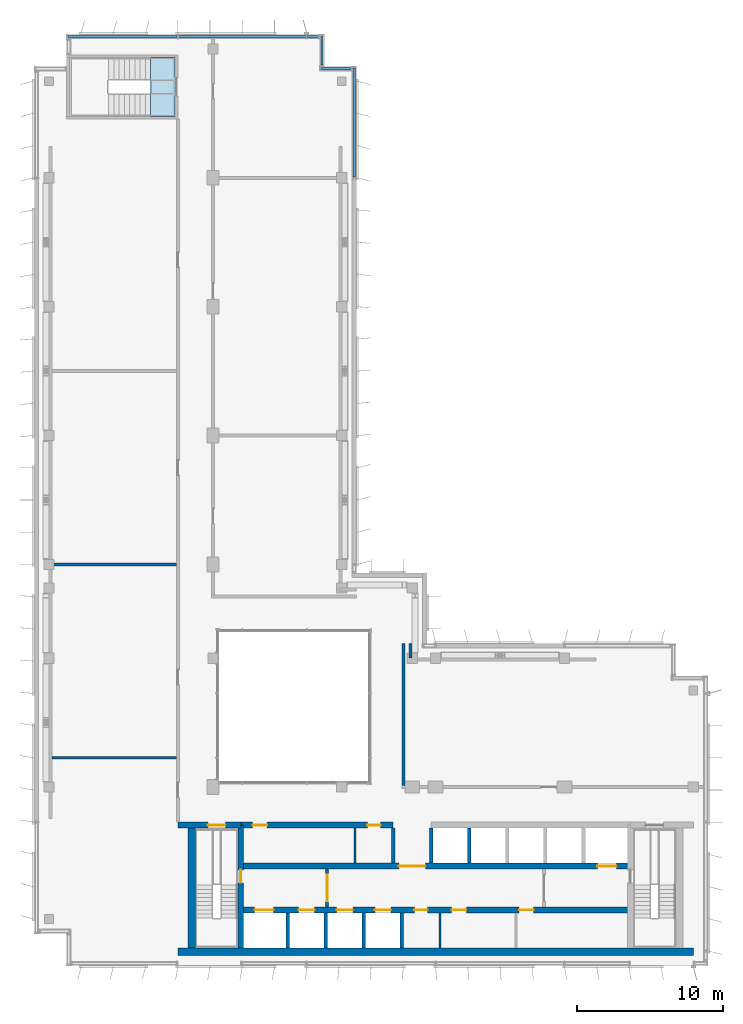
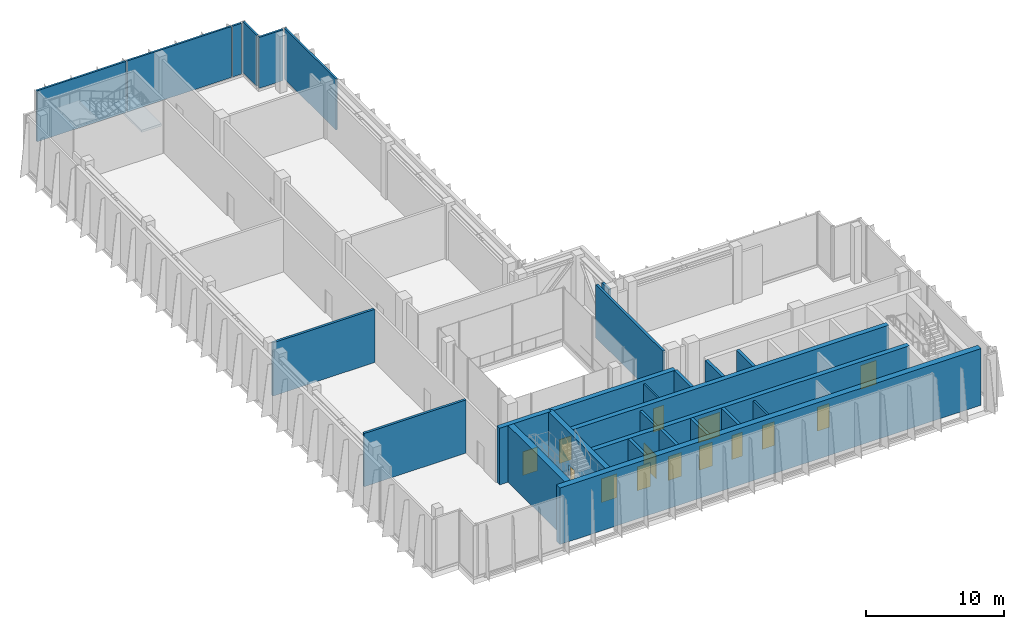
# One storey, part 8 of 14: 21 walls, 14 doors, 6 plates, 1 slab, 14 openings, 5 elements without a shape of their own.
"""IFC4 building model written with IfcOpenShell, lengths in metres."""

from ifc_helpers import new_model, si_unit, direction, frame, frame_2d, origin, origin_2d, place, context, subcontext, project, spatial, polyline, rectangle, outline, extrude, source, transform, mapped, material, layer, layer_set, type_object, element, fill, aggregate, save


model = new_model("IFC4")

# Units and contexts
model_context = context("Model", 3, precision=1e-05, world=origin(), true_north=direction((0.0, 1.0)))
body_context = subcontext(model_context, "Body", "Model", "MODEL_VIEW")
ifc_project = project(units=[si_unit("LENGTHUNIT", "METRE"), si_unit("AREAUNIT", "SQUARE_METRE"), si_unit("VOLUMEUNIT", "CUBIC_METRE"), si_unit("PLANEANGLEUNIT", "RADIAN"), si_unit("MASSUNIT", "GRAM", prefix="KILO")], contexts=[model_context])

# Site, building, storey
site_placement = place(None, origin())
site = spatial("IfcSite", under=ifc_project, at=site_placement, CompositionType="ELEMENT")
building_placement = place(site_placement, origin())
building = spatial("IfcBuilding", under=site, at=building_placement, Name="Kemantara Hotel Tower", CompositionType="ELEMENT")
storey_placement = place(building_placement, frame((0.0, 0.0, 309.199951171875)))
storey = spatial("IfcBuildingStorey", under=building, at=storey_placement, Name="L78", CompositionType="ELEMENT", Elevation=309.199951171875)

# Stair, slab
ifc_material_1 = material(Name="Concrete fc 40 MPa", Category="concrete")
stair_type = type_object("IfcStairType", Name="Stair 1550 wide 36 risers of 139 x 360 mm", PredefinedType="HALF_TURN_STAIR", material=ifc_material_1)
stair_placement = place(storey_placement, origin())
stair = element("IfcStair", 1, at=stair_placement, inside=storey, type_object=stair_type, Name="L78 Exit stair ST4", PredefinedType="HALF_TURN_STAIR")
ifc_layer_1 = layer(ifc_material_1, 0.199951171875)
ifc_layer_set_1 = layer_set([ifc_layer_1], Name="Concrete fc 40 MPa")
slab_type = type_object("IfcSlabType", Name="Stair landing 200 mm", PredefinedType="LANDING", material=ifc_layer_set_1)
slab_placement = place(storey_placement, frame((0.0, 0.0, 2.300048828125)))
slab = element("IfcSlab", 2, at=slab_placement, type_object=slab_type, Name="ST4 landing 2", PredefinedType="LANDING", context=body_context, shape_type="SweptSolid", body=[
    extrude(outline(polyline([(9.60009765625, 62.0), (7.949951171875, 62.0), (7.949951171875, 58.0), (9.60009765625, 58.0), (9.60009765625, 62.0)])), origin(), (0.0, 0.0, 1.0), 0.199951171875),
])
aggregate(stair, [slab])

# Curtain wall, plates
ifc_material_2 = material(Name="Aluminium 6063-T6 bronze anodised", Category="aluminium")
curtain_wall_type = type_object("IfcCurtainWallType", Name="CROWN LOUVRE SCREEN WALL", PredefinedType="USERDEFINED", material=ifc_material_2)
curtain_wall_1_placement = place(storey_placement, origin())
curtain_wall_1 = element("IfcCurtainWall", 3, at=curtain_wall_1_placement, inside=storey, type_object=curtain_wall_type, Name="CW7 L78 CRN-R02-1", ObjectType="CROWN LOUVRE SCREEN WALL", PredefinedType="USERDEFINED")
ifc_material_3 = material(Name="Bronze anodised aluminium louvre blades 3 mm", Category="aluminium")
ifc_layer_2 = layer(ifc_material_3, 0.159912109375)
ifc_layer_set_2 = layer_set([ifc_layer_2], Name="Bronze anodised aluminium louvre blades 3 mm")
plate_type = type_object("IfcPlateType", Name="CROWN LOUVRE SCREEN WALL PANEL", PredefinedType="CURTAIN_PANEL", material=ifc_layer_set_2)
shared_shape_1 = source(origin(), body_context, "Body", "SweptSolid", [
    extrude(rectangle(XDim=0.75, YDim=0.159912109375, at=origin_2d()), origin(), (0.0, 0.0, 1.0), 4.5),
])
plate_1_placement = place(storey_placement, frame((19.02490234375, 63.449951171875, 0.199951171875), z_axis=(0.0, 0.0, 1.0), x_axis=(-1.0, 0.0, 0.0)))
plate_1 = element("IfcPlate", 4, at=plate_1_placement, type_object=plate_type, Name="CW7 louvre panel CRN-R02-1.1", PredefinedType="CURTAIN_PANEL", context=body_context, shape_type="MappedRepresentation", body=[
    mapped(shared_shape_1, transform((0.0, 0.0, 0.0))),
])
shared_shape_2 = source(origin(), body_context, "Body", "SweptSolid", [
    extrude(rectangle(XDim=8.699951171875, YDim=0.159912109375, at=origin_2d()), origin(), (0.0, 0.0, 1.0), 4.5),
])
plate_2_placement = place(storey_placement, frame((14.199951171875, 63.449951171875, 0.199951171875), z_axis=(0.0, 0.0, 1.0), x_axis=(-1.0, 0.0, 0.0)))
plate_2 = element("IfcPlate", 5, at=plate_2_placement, type_object=plate_type, Name="CW7 louvre panel CRN-R02-1.2", PredefinedType="CURTAIN_PANEL", context=body_context, shape_type="MappedRepresentation", body=[
    mapped(shared_shape_2, transform((0.0, 0.0, 0.0))),
])
shared_shape_3 = source(origin(), body_context, "Body", "SweptSolid", [
    extrude(rectangle(XDim=7.449951171875, YDim=0.159912109375, at=origin_2d()), origin(), (0.0, 0.0, 1.0), 4.5),
])
plate_3_placement = place(storey_placement, frame((6.02490234375, 63.449951171875, 0.199951171875), z_axis=(0.0, 0.0, 1.0), x_axis=(-1.0, 0.0, 0.0)))
plate_3 = element("IfcPlate", 6, at=plate_3_placement, type_object=plate_type, Name="CW7 louvre panel CRN-R02-1.3", PredefinedType="CURTAIN_PANEL", context=body_context, shape_type="MappedRepresentation", body=[
    mapped(shared_shape_3, transform((0.0, 0.0, 0.0))),
])
aggregate(curtain_wall_1, [plate_1, plate_2, plate_3])

# Curtain wall, plate
curtain_wall_2_placement = place(storey_placement, origin())
curtain_wall_2 = element("IfcCurtainWall", 7, at=curtain_wall_2_placement, inside=storey, type_object=curtain_wall_type, Name="CW7 L78 CRN-R15-2", ObjectType="CROWN LOUVRE SCREEN WALL", PredefinedType="USERDEFINED")
plate_4_placement = place(storey_placement, frame((21.85009765625, 57.574951171875, 0.199951171875), z_axis=(0.0, 0.0, 1.0), x_axis=(0.0, 1.0, 0.0)))
plate_4 = element("IfcPlate", 8, at=plate_4_placement, type_object=plate_type, Name="CW7 louvre panel CRN-R15-2.1", PredefinedType="CURTAIN_PANEL", context=body_context, shape_type="MappedRepresentation", body=[
    mapped(shared_shape_3, transform((0.0, 0.0, 0.0))),
])
aggregate(curtain_wall_2, [plate_4])

curtain_wall_3_placement = place(storey_placement, origin())
curtain_wall_3 = element("IfcCurtainWall", 9, at=curtain_wall_3_placement, inside=storey, type_object=curtain_wall_type, Name="CW7 L78 CRN-R00-1", ObjectType="CROWN LOUVRE SCREEN WALL", PredefinedType="USERDEFINED")
shared_shape_4 = source(origin(), body_context, "Body", "SweptSolid", [
    extrude(rectangle(XDim=2.0, YDim=0.159912109375, at=origin_2d()), origin(), (0.0, 0.0, 1.0), 4.5),
])
plate_5_placement = place(storey_placement, frame((20.60009765625, 61.25, 0.199951171875), z_axis=(0.0, 0.0, 1.0), x_axis=(-1.0, 0.0, 0.0)))
plate_5 = element("IfcPlate", 10, at=plate_5_placement, type_object=plate_type, Name="CW7 louvre panel CRN-R00-1.1", PredefinedType="CURTAIN_PANEL", context=body_context, shape_type="MappedRepresentation", body=[
    mapped(shared_shape_4, transform((0.0, 0.0, 0.0))),
])
aggregate(curtain_wall_3, [plate_5])

curtain_wall_4_placement = place(storey_placement, origin())
curtain_wall_4 = element("IfcCurtainWall", 11, at=curtain_wall_4_placement, inside=storey, type_object=curtain_wall_type, Name="CW7 L78 CRN-R01-1", ObjectType="CROWN LOUVRE SCREEN WALL", PredefinedType="USERDEFINED")
plate_6_placement = place(storey_placement, frame((19.64990234375, 62.5, 0.199951171875), z_axis=(0.0, 0.0, 1.0), x_axis=(0.0, 1.0, 0.0)))
plate_6 = element("IfcPlate", 12, at=plate_6_placement, type_object=plate_type, Name="CW7 louvre panel CRN-R01-1.1", PredefinedType="CURTAIN_PANEL", context=body_context, shape_type="MappedRepresentation", body=[
    mapped(shared_shape_4, transform((0.0, 0.0, 0.0))),
])
aggregate(curtain_wall_4, [plate_6])

# Walls
ifc_material_4 = material(Name="Concrete fc 50 MPa", Category="concrete")
ifc_layer_3 = layer(ifc_material_4, 0.25)
ifc_layer_set_3 = layer_set([ifc_layer_3], Name="Concrete fc 50 MPa")
wall_type_1 = type_object("IfcWallType", Name="CORE WALL 250 FC50", PredefinedType="SHEAR", material=ifc_layer_set_3)
for number, where, z_axis, x_axis, name in (
    (13, (17.300048828125, 1.199951171875, 0.0), (0.0, 0.0, 1.0), (0.0, 1.0, 0.0), "CORE WALL CW-DS17.3"),
    (14, (19.89990234375, 1.199951171875, 0.0), (0.0, 0.0, 1.0), (0.0, 1.0, 0.0), "CORE WALL CW-DS19.9"),
    (15, (22.5, 1.199951171875, 0.0), (0.0, 0.0, 1.0), (0.0, 1.0, 0.0), "CORE WALL CW-DS22.5"),
    (16, (25.10009765625, 1.199951171875, 0.0), (0.0, 0.0, 1.0), (0.0, 1.0, 0.0), "CORE WALL CW-DS25.1"),
):
    element("IfcWall", number, at=place(storey_placement, frame(where, z_axis=z_axis, x_axis=x_axis)), inside=storey, type_object=wall_type_1, Name=name, PredefinedType="SHEAR", context=body_context, shape_type="SweptSolid", body=[
        extrude(rectangle(XDim=2.400146484375, YDim=0.25, at=frame_2d((1.2001953125, 0.0))), origin(), (0.0, 0.0, 1.0), 5.0),
    ])
for number, where, z_axis, x_axis, name in (
    (17, (24.5, 7.0, 0.0), (0.0, 0.0, 1.0), (0.0, 1.0, 0.0), "CORE WALL CW-DN24.5"),
    (18, (27.10009765625, 7.0, 0.0), (0.0, 0.0, 1.0), (0.0, 1.0, 0.0), "CORE WALL CW-DN27.1"),
    (19, (29.699951171875, 7.0, 0.0), (0.0, 0.0, 1.0), (0.0, 1.0, 0.0), "CORE WALL CW-DN29.7"),
):
    element("IfcWall", number, at=place(storey_placement, frame(where, z_axis=z_axis, x_axis=x_axis)), inside=storey, type_object=wall_type_1, Name=name, PredefinedType="SHEAR", context=body_context, shape_type="SweptSolid", body=[
        extrude(rectangle(XDim=2.39990234375, YDim=0.25, at=frame_2d((1.199951171875, 0.0))), origin(), (0.0, 0.0, 1.0), 5.0),
    ])

# Wall, opening, door
ifc_layer_4 = layer(ifc_material_4, 0.39990234375)
ifc_layer_set_4 = layer_set([ifc_layer_4], Name="Concrete fc 50 MPa")
wall_type_2 = type_object("IfcWallType", Name="CORE WALL 400 FC50", PredefinedType="SHEAR", material=ifc_layer_set_4)
wall_1_placement = place(storey_placement, frame((9.800048828125, 9.60009765625, 0.0), z_axis=(0.0, 0.0, 1.0), x_axis=(1.0, 0.0, 0.0)))
wall_1 = element("IfcWall", 20, at=wall_1_placement, inside=storey, type_object=wall_type_2, Name="CORE WALL CW-N1", PredefinedType="SHEAR", context=body_context, shape_type="SweptSolid", body=[
    extrude(rectangle(XDim=4.300048828125, YDim=0.39990234375, at=frame_2d((2.14990234375, 0.0))), origin(), (0.0, 0.0, 1.0), 5.0),
])
opening_1_placement = place(wall_1_placement, frame((2.050048828125, 0.0, 0.0)))
opening_1 = element("IfcOpeningElement", 21, at=opening_1_placement, cuts=wall_1, Name="Opening C44-ST1-C", PredefinedType="OPENING", context=body_context, shape_type="SweptSolid", body=[
    extrude(rectangle(XDim=1.199951171875, YDim=2.10009765625, at=frame_2d((0.60009765625, 1.050048828125))), frame((0.0, 0.2099609375, 0.0), z_axis=(0.0, -1.0, 0.0), x_axis=(1.0, 0.0, 0.0)), (0.0, 0.0, 1.0), 0.419921875),
])
ifc_material_5 = material(Name="Steel fire door", Category="steel")
door_type_1 = type_object("IfcDoorType", Name="Fire door FD90 1200 x 2100", OperationType="NOTDEFINED", PredefinedType="DOOR", material=ifc_material_5)
door_1_placement = place(opening_1_placement, frame((1.199951171875, 0.0, 0.0), z_axis=(0.0, 0.0, 1.0), x_axis=(-1.0, 0.0, 0.0)))
door_1 = element("IfcDoor", 22, at=door_1_placement, inside=storey, type_object=door_type_1, Name="Stair ST1 door to corridor", OperationType="SINGLE_SWING_LEFT", OverallHeight=2.10009765625, OverallWidth=1.199951171875, PredefinedType="DOOR", context=body_context, shape_type="SweptSolid", body=[
    extrude(rectangle(XDim=1.199951171875, YDim=2.10009765625, at=frame_2d((0.60009765625, 1.050048828125))), frame((0.0, 0.02490234375, 0.0), z_axis=(0.0, -1.0, 0.0), x_axis=(1.0, 0.0, 0.0)), (0.0, 0.0, 1.0), 0.050048828125),
])
fill(opening_1, door_1)

# Wall, openings, doors
wall_2_placement = place(storey_placement, frame((14.10009765625, 9.60009765625, 0.0), z_axis=(0.0, 0.0, 1.0), x_axis=(1.0, 0.0, 0.0)))
wall_2 = element("IfcWall", 23, at=wall_2_placement, inside=storey, type_object=wall_type_2, Name="CORE WALL CW-NN1", PredefinedType="SHEAR", context=body_context, shape_type="SweptSolid", body=[
    extrude(rectangle(XDim=10.39990234375, YDim=0.39990234375, at=frame_2d((5.199951171875, 0.0))), origin(), (0.0, 0.0, 1.0), 5.0),
])
opening_2_placement = place(wall_2_placement, frame((0.800048828125, 0.0, 0.0)))
opening_2 = element("IfcOpeningElement", 24, at=opening_2_placement, cuts=wall_2, Name="Opening C44-R-NW1", PredefinedType="OPENING", context=body_context, shape_type="SweptSolid", body=[
    extrude(rectangle(XDim=1.0, YDim=2.10009765625, at=frame_2d((0.5, 1.050048828125))), frame((0.0, 0.2099609375, 0.0), z_axis=(0.0, -1.0, 0.0), x_axis=(1.0, 0.0, 0.0)), (0.0, 0.0, 1.0), 0.419921875),
])
opening_3_placement = place(wall_2_placement, frame((8.64990234375, 0.0, 0.0)))
opening_3 = element("IfcOpeningElement", 25, at=opening_3_placement, cuts=wall_2, Name="Opening C44-R-NW2", PredefinedType="OPENING", context=body_context, shape_type="SweptSolid", body=[
    extrude(rectangle(XDim=0.89990234375, YDim=2.10009765625, at=frame_2d((0.449951171875, 1.050048828125))), frame((0.0, 0.2099609375, 0.0), z_axis=(0.0, -1.0, 0.0), x_axis=(1.0, 0.0, 0.0)), (0.0, 0.0, 1.0), 0.419921875),
])
door_type_2 = type_object("IfcDoorType", Name="Fire door FD60 1000 x 2100", OperationType="NOTDEFINED", PredefinedType="DOOR", material=ifc_material_5)
door_2_placement = place(opening_2_placement, frame((1.0, 0.0, 0.0), z_axis=(0.0, 0.0, 1.0), x_axis=(-1.0, 0.0, 0.0)))
door_2 = element("IfcDoor", 26, at=door_2_placement, inside=storey, type_object=door_type_2, Name="Air Handling Plant Room door", OperationType="SINGLE_SWING_RIGHT", OverallHeight=2.10009765625, OverallWidth=1.0, PredefinedType="DOOR", context=body_context, shape_type="SweptSolid", body=[
    extrude(rectangle(XDim=1.0, YDim=2.10009765625, at=frame_2d((0.5, 1.050048828125))), frame((0.0, 0.02490234375, 0.0), z_axis=(0.0, -1.0, 0.0), x_axis=(1.0, 0.0, 0.0)), (0.0, 0.0, 1.0), 0.050048828125),
])
fill(opening_2, door_2)
door_type_3 = type_object("IfcDoorType", Name="Fire door FD60 900 x 2100", OperationType="NOTDEFINED", PredefinedType="DOOR", material=ifc_material_5)
door_3_placement = place(opening_3_placement, frame((0.89990234375, 0.0, 0.0), z_axis=(0.0, 0.0, 1.0), x_axis=(-1.0, 0.0, 0.0)))
door_3 = element("IfcDoor", 27, at=door_3_placement, inside=storey, type_object=door_type_3, Name="Electrical Riser Room door", OperationType="SINGLE_SWING_LEFT", OverallHeight=2.10009765625, OverallWidth=0.89990234375, PredefinedType="DOOR", context=body_context, shape_type="SweptSolid", body=[
    extrude(rectangle(XDim=0.89990234375, YDim=2.10009765625, at=frame_2d((0.449951171875, 1.050048828125))), frame((0.0, 0.02490234375, 0.0), z_axis=(0.0, -1.0, 0.0), x_axis=(1.0, 0.0, 0.0)), (0.0, 0.0, 1.0), 0.050048828125),
])
fill(opening_3, door_3)

wall_3_placement = place(storey_placement, frame((14.10009765625, 3.800048828125, 0.0), z_axis=(0.0, 0.0, 1.0), x_axis=(1.0, 0.0, 0.0)))
wall_3 = element("IfcWall", 28, at=wall_3_placement, inside=storey, type_object=wall_type_2, Name="CORE WALL CW-L1", PredefinedType="SHEAR", context=body_context, shape_type="SweptSolid", body=[
    extrude(rectangle(XDim=26.599853515625, YDim=0.39990234375, at=frame_2d((13.2998046875, 0.0))), origin(), (0.0, 0.0, 1.0), 5.0),
])
opening_4_placement = place(wall_3_placement, frame((0.949951171875, 0.0, 0.0)))
opening_4 = element("IfcOpeningElement", 29, at=opening_4_placement, cuts=wall_3, Name="Opening C44-LD-FF1", PredefinedType="OPENING", context=body_context, shape_type="SweptSolid", body=[
    extrude(rectangle(XDim=1.300048828125, YDim=2.10009765625, at=frame_2d((0.64990234375, 1.050048828125))), frame((0.0, 0.2099609375, 0.0), z_axis=(0.0, -1.0, 0.0), x_axis=(1.0, 0.0, 0.0)), (0.0, 0.0, 1.0), 0.419921875),
])
opening_5_placement = place(wall_3_placement, frame((3.949951171875, 0.0, 0.0)))
opening_5 = element("IfcOpeningElement", 30, at=opening_5_placement, cuts=wall_3, Name="Opening C44-LD-SV1", PredefinedType="OPENING", context=body_context, shape_type="SweptSolid", body=[
    extrude(rectangle(XDim=1.10009765625, YDim=2.10009765625, at=frame_2d((0.550048828125, 1.050048828125))), frame((0.0, 0.2099609375, 0.0), z_axis=(0.0, -1.0, 0.0), x_axis=(1.0, 0.0, 0.0)), (0.0, 0.0, 1.0), 0.419921875),
])
opening_6_placement = place(wall_3_placement, frame((6.550048828125, 0.0, 0.0)))
opening_6 = element("IfcOpeningElement", 31, at=opening_6_placement, cuts=wall_3, Name="Opening C44-LD-SV2", PredefinedType="OPENING", context=body_context, shape_type="SweptSolid", body=[
    extrude(rectangle(XDim=1.10009765625, YDim=2.10009765625, at=frame_2d((0.550048828125, 1.050048828125))), frame((0.0, 0.2099609375, 0.0), z_axis=(0.0, -1.0, 0.0), x_axis=(1.0, 0.0, 0.0)), (0.0, 0.0, 1.0), 0.419921875),
])
opening_7_placement = place(wall_3_placement, frame((9.14990234375, 0.0, 0.0)))
opening_7 = element("IfcOpeningElement", 32, at=opening_7_placement, cuts=wall_3, Name="Opening C44-LD-SV3", PredefinedType="OPENING", context=body_context, shape_type="SweptSolid", body=[
    extrude(rectangle(XDim=1.10009765625, YDim=2.10009765625, at=frame_2d((0.550048828125, 1.050048828125))), frame((0.0, 0.2099609375, 0.0), z_axis=(0.0, -1.0, 0.0), x_axis=(1.0, 0.0, 0.0)), (0.0, 0.0, 1.0), 0.419921875),
])
opening_8_placement = place(wall_3_placement, frame((11.85009765625, 0.0, 0.0)))
opening_8 = element("IfcOpeningElement", 33, at=opening_8_placement, cuts=wall_3, Name="Opening C44-R-SM1", PredefinedType="OPENING", context=body_context, shape_type="SweptSolid", body=[
    extrude(rectangle(XDim=0.89990234375, YDim=2.10009765625, at=frame_2d((0.449951171875, 1.050048828125))), frame((0.0, 0.2099609375, 0.0), z_axis=(0.0, -1.0, 0.0), x_axis=(1.0, 0.0, 0.0)), (0.0, 0.0, 1.0), 0.419921875),
])
opening_9_placement = place(wall_3_placement, frame((14.39990234375, 0.0, 0.0)))
opening_9 = element("IfcOpeningElement", 34, at=opening_9_placement, cuts=wall_3, Name="Opening C44-R-SM2", PredefinedType="OPENING", context=body_context, shape_type="SweptSolid", body=[
    extrude(rectangle(XDim=1.0, YDim=2.10009765625, at=frame_2d((0.5, 1.050048828125))), frame((0.0, 0.2099609375, 0.0), z_axis=(0.0, -1.0, 0.0), x_axis=(1.0, 0.0, 0.0)), (0.0, 0.0, 1.0), 0.419921875),
])
opening_10_placement = place(wall_3_placement, frame((19.0, 0.0, 0.0)))
opening_10 = element("IfcOpeningElement", 35, at=opening_10_placement, cuts=wall_3, Name="Opening C44-R-SM3", PredefinedType="OPENING", context=body_context, shape_type="SweptSolid", body=[
    extrude(rectangle(XDim=1.0, YDim=2.10009765625, at=frame_2d((0.5, 1.050048828125))), frame((0.0, 0.2099609375, 0.0), z_axis=(0.0, -1.0, 0.0), x_axis=(1.0, 0.0, 0.0)), (0.0, 0.0, 1.0), 0.419921875),
])
door_4_placement = place(opening_9_placement, frame((1.0, 0.0, 0.0), z_axis=(0.0, 0.0, 1.0), x_axis=(-1.0, 0.0, 0.0)))
door_4 = element("IfcDoor", 36, at=door_4_placement, inside=storey, type_object=door_type_2, Name="Switch Room door", OperationType="SINGLE_SWING_LEFT", OverallHeight=2.10009765625, OverallWidth=1.0, PredefinedType="DOOR", context=body_context, shape_type="SweptSolid", body=[
    extrude(rectangle(XDim=1.0, YDim=2.10009765625, at=frame_2d((0.5, 1.050048828125))), frame((0.0, 0.02490234375, 0.0), z_axis=(0.0, -1.0, 0.0), x_axis=(1.0, 0.0, 0.0)), (0.0, 0.0, 1.0), 0.050048828125),
])
fill(opening_9, door_4)
door_5_placement = place(opening_10_placement, frame((1.0, 0.0, 0.0), z_axis=(0.0, 0.0, 1.0), x_axis=(-1.0, 0.0, 0.0)))
door_5 = element("IfcDoor", 37, at=door_5_placement, inside=storey, type_object=door_type_2, Name="Pump And Tank Room door", OperationType="SINGLE_SWING_LEFT", OverallHeight=2.10009765625, OverallWidth=1.0, PredefinedType="DOOR", context=body_context, shape_type="SweptSolid", body=[
    extrude(rectangle(XDim=1.0, YDim=2.10009765625, at=frame_2d((0.5, 1.050048828125))), frame((0.0, 0.02490234375, 0.0), z_axis=(0.0, -1.0, 0.0), x_axis=(1.0, 0.0, 0.0)), (0.0, 0.0, 1.0), 0.050048828125),
])
fill(opening_10, door_5)
door_6_placement = place(opening_8_placement, frame((0.89990234375, 0.0, 0.0), z_axis=(0.0, 0.0, 1.0), x_axis=(-1.0, 0.0, 0.0)))
door_6 = element("IfcDoor", 38, at=door_6_placement, inside=storey, type_object=door_type_3, Name="Smoke Control Plant Room door", OperationType="SINGLE_SWING_RIGHT", OverallHeight=2.10009765625, OverallWidth=0.89990234375, PredefinedType="DOOR", context=body_context, shape_type="SweptSolid", body=[
    extrude(rectangle(XDim=0.89990234375, YDim=2.10009765625, at=frame_2d((0.449951171875, 1.050048828125))), frame((0.0, 0.02490234375, 0.0), z_axis=(0.0, -1.0, 0.0), x_axis=(1.0, 0.0, 0.0)), (0.0, 0.0, 1.0), 0.050048828125),
])
fill(opening_8, door_6)
ifc_material_6 = material(Name="Stainless steel lift door", Category="steel")
door_type_4 = type_object("IfcDoorType", Name="Lift landing door 1100 x 2100 FD60", OperationType="DOUBLE_DOOR_SLIDING", PredefinedType="DOOR", material=ifc_material_6)
door_7_placement = place(opening_5_placement, origin())
door_7 = element("IfcDoor", 39, at=door_7_placement, inside=storey, type_object=door_type_4, Name="Lift SV1 landing door", OperationType="DOUBLE_DOOR_SLIDING", OverallHeight=2.10009765625, OverallWidth=1.10009765625, PredefinedType="DOOR", context=body_context, shape_type="SweptSolid", body=[
    extrude(rectangle(XDim=1.10009765625, YDim=2.10009765625, at=frame_2d((0.550048828125, 1.050048828125))), frame((0.0, 0.02490234375, 0.0), z_axis=(0.0, -1.0, 0.0), x_axis=(1.0, 0.0, 0.0)), (0.0, 0.0, 1.0), 0.050048828125),
])
fill(opening_5, door_7)
door_8_placement = place(opening_6_placement, origin())
door_8 = element("IfcDoor", 40, at=door_8_placement, inside=storey, type_object=door_type_4, Name="Lift SV2 landing door", OperationType="DOUBLE_DOOR_SLIDING", OverallHeight=2.10009765625, OverallWidth=1.10009765625, PredefinedType="DOOR", context=body_context, shape_type="SweptSolid", body=[
    extrude(rectangle(XDim=1.10009765625, YDim=2.10009765625, at=frame_2d((0.550048828125, 1.050048828125))), frame((0.0, 0.02490234375, 0.0), z_axis=(0.0, -1.0, 0.0), x_axis=(1.0, 0.0, 0.0)), (0.0, 0.0, 1.0), 0.050048828125),
])
fill(opening_6, door_8)
door_9_placement = place(opening_7_placement, origin())
door_9 = element("IfcDoor", 41, at=door_9_placement, inside=storey, type_object=door_type_4, Name="Lift SV3 landing door", OperationType="DOUBLE_DOOR_SLIDING", OverallHeight=2.10009765625, OverallWidth=1.10009765625, PredefinedType="DOOR", context=body_context, shape_type="SweptSolid", body=[
    extrude(rectangle(XDim=1.10009765625, YDim=2.10009765625, at=frame_2d((0.550048828125, 1.050048828125))), frame((0.0, 0.02490234375, 0.0), z_axis=(0.0, -1.0, 0.0), x_axis=(1.0, 0.0, 0.0)), (0.0, 0.0, 1.0), 0.050048828125),
])
fill(opening_7, door_9)
door_type_5 = type_object("IfcDoorType", Name="Lift landing door 1300 x 2100 FD90", OperationType="DOUBLE_DOOR_SLIDING", PredefinedType="DOOR", material=ifc_material_6)
door_10_placement = place(opening_4_placement, origin())
door_10 = element("IfcDoor", 42, at=door_10_placement, inside=storey, type_object=door_type_5, Name="Lift FF1 landing door", OperationType="DOUBLE_DOOR_SLIDING", OverallHeight=2.10009765625, OverallWidth=1.300048828125, PredefinedType="DOOR", context=body_context, shape_type="SweptSolid", body=[
    extrude(rectangle(XDim=1.300048828125, YDim=2.10009765625, at=frame_2d((0.64990234375, 1.050048828125))), frame((0.0, 0.02490234375, 0.0), z_axis=(0.0, -1.0, 0.0), x_axis=(1.0, 0.0, 0.0)), (0.0, 0.0, 1.0), 0.050048828125),
])
fill(opening_4, door_10)

wall_4_placement = place(storey_placement, frame((14.10009765625, 6.800048828125, 0.0), z_axis=(0.0, 0.0, 1.0), x_axis=(1.0, 0.0, 0.0)))
wall_4 = element("IfcWall", 43, at=wall_4_placement, inside=storey, type_object=wall_type_2, Name="CORE WALL CW-L2", PredefinedType="SHEAR", context=body_context, shape_type="SweptSolid", body=[
    extrude(rectangle(XDim=26.599853515625, YDim=0.39990234375, at=frame_2d((13.2998046875, 0.0))), origin(), (0.0, 0.0, 1.0), 5.0),
])
opening_11_placement = place(wall_4_placement, frame((10.800048828125, 0.0, 0.0)))
opening_11 = element("IfcOpeningElement", 44, at=opening_11_placement, cuts=wall_4, Name="Opening C44-VL", PredefinedType="OPENING", context=body_context, shape_type="SweptSolid", body=[
    extrude(rectangle(XDim=1.800048828125, YDim=2.10009765625, at=frame_2d((0.89990234375, 1.050048828125))), frame((0.0, 0.2099609375, 0.0), z_axis=(0.0, -1.0, 0.0), x_axis=(1.0, 0.0, 0.0)), (0.0, 0.0, 1.0), 0.419921875),
])
opening_12_placement = place(wall_4_placement, frame((24.35009765625, 0.0, 0.0)))
opening_12 = element("IfcOpeningElement", 45, at=opening_12_placement, cuts=wall_4, Name="Opening C44-LD-FF2", PredefinedType="OPENING", context=body_context, shape_type="SweptSolid", body=[
    extrude(rectangle(XDim=1.300048828125, YDim=2.10009765625, at=frame_2d((0.64990234375, 1.050048828125))), frame((0.0, 0.2099609375, 0.0), z_axis=(0.0, -1.0, 0.0), x_axis=(1.0, 0.0, 0.0)), (0.0, 0.0, 1.0), 0.419921875),
])
door_type_6 = type_object("IfcDoorType", Name="Fire door pair FD60 1800 x 2100", OperationType="DOUBLE_DOOR_SINGLE_SWING", PredefinedType="DOOR", material=ifc_material_5)
door_11_placement = place(opening_11_placement, frame((1.800048828125, 0.0, 0.0), z_axis=(0.0, 0.0, 1.0), x_axis=(-1.0, 0.0, 0.0)))
door_11 = element("IfcDoor", 46, at=door_11_placement, inside=storey, type_object=door_type_6, Name="Lift lobby entry door", OperationType="DOUBLE_DOOR_SINGLE_SWING", OverallHeight=2.10009765625, OverallWidth=1.800048828125, PredefinedType="DOOR", context=body_context, shape_type="SweptSolid", body=[
    extrude(rectangle(XDim=1.800048828125, YDim=2.10009765625, at=frame_2d((0.89990234375, 1.050048828125))), frame((0.0, 0.02490234375, 0.0), z_axis=(0.0, -1.0, 0.0), x_axis=(1.0, 0.0, 0.0)), (0.0, 0.0, 1.0), 0.050048828125),
])
fill(opening_11, door_11)
door_12_placement = place(opening_12_placement, origin())
door_12 = element("IfcDoor", 47, at=door_12_placement, inside=storey, type_object=door_type_5, Name="Lift FF2 landing door", OperationType="DOUBLE_DOOR_SLIDING", OverallHeight=2.10009765625, OverallWidth=1.300048828125, PredefinedType="DOOR", context=body_context, shape_type="SweptSolid", body=[
    extrude(rectangle(XDim=1.300048828125, YDim=2.10009765625, at=frame_2d((0.64990234375, 1.050048828125))), frame((0.0, 0.02490234375, 0.0), z_axis=(0.0, -1.0, 0.0), x_axis=(1.0, 0.0, 0.0)), (0.0, 0.0, 1.0), 0.050048828125),
])
fill(opening_12, door_12)

# Wall, opening, door
wall_5_placement = place(storey_placement, frame((14.10009765625, 1.199951171875, 0.0), z_axis=(0.0, 0.0, 1.0), x_axis=(0.0, 1.0, 0.0)))
wall_5 = element("IfcWall", 48, at=wall_5_placement, inside=storey, type_object=wall_type_2, Name="CORE WALL CW-ST1E", PredefinedType="SHEAR", context=body_context, shape_type="SweptSolid", body=[
    extrude(rectangle(XDim=8.400146484375, YDim=0.39990234375, at=frame_2d((4.2001953125, 0.0))), origin(), (0.0, 0.0, 1.0), 5.0),
])
opening_13_placement = place(wall_5_placement, frame((4.449951171875, 0.0, 0.0)))
opening_13 = element("IfcOpeningElement", 49, at=opening_13_placement, cuts=wall_5, Name="Opening C44-ST1-F", PredefinedType="OPENING", context=body_context, shape_type="SweptSolid", body=[
    extrude(rectangle(XDim=0.89990234375, YDim=2.10009765625, at=frame_2d((0.449951171875, 1.050048828125))), frame((0.0, 0.2099609375, 0.0), z_axis=(0.0, -1.0, 0.0), x_axis=(1.0, 0.0, 0.0)), (0.0, 0.0, 1.0), 0.419921875),
])
door_type_7 = type_object("IfcDoorType", Name="Fire door FD90 900 x 2100", OperationType="NOTDEFINED", PredefinedType="DOOR", material=ifc_material_5)
door_13_placement = place(opening_13_placement, origin())
door_13 = element("IfcDoor", 50, at=door_13_placement, inside=storey, type_object=door_type_7, Name="Stair ST1 door to firefighting lobby", OperationType="SINGLE_SWING_RIGHT", OverallHeight=2.10009765625, OverallWidth=0.89990234375, PredefinedType="DOOR", context=body_context, shape_type="SweptSolid", body=[
    extrude(rectangle(XDim=0.89990234375, YDim=2.10009765625, at=frame_2d((0.449951171875, 1.050048828125))), frame((0.0, 0.02490234375, 0.0), z_axis=(0.0, -1.0, 0.0), x_axis=(1.0, 0.0, 0.0)), (0.0, 0.0, 1.0), 0.050048828125),
])
fill(opening_13, door_13)

# Walls
ifc_layer_5 = layer(ifc_material_4, 0.5)
ifc_layer_set_5 = layer_set([ifc_layer_5], Name="Concrete fc 50 MPa")
wall_type_3 = type_object("IfcWallType", Name="CORE WALL 500 FC50", PredefinedType="SHEAR", material=ifc_layer_set_5)
wall_6_placement = place(storey_placement, frame((9.800048828125, 0.949951171875, 0.0), z_axis=(0.0, 0.0, 1.0), x_axis=(1.0, 0.0, 0.0)))
element("IfcWall", 51, at=wall_6_placement, inside=storey, type_object=wall_type_3, Name="CORE WALL CW-S", PredefinedType="SHEAR", context=body_context, shape_type="SweptSolid", body=[
    extrude(rectangle(XDim=35.199951171875, YDim=0.5, at=frame_2d((17.60009765625, 0.0))), origin(), (0.0, 0.0, 1.0), 5.0),
])
wall_7_placement = place(storey_placement, frame((10.75, 1.199951171875, 0.0), z_axis=(0.0, 0.0, 1.0), x_axis=(0.0, 1.0, 0.0)))
element("IfcWall", 52, at=wall_7_placement, inside=storey, type_object=wall_type_3, Name="CORE WALL CW-W", PredefinedType="SHEAR", context=body_context, shape_type="SweptSolid", body=[
    extrude(rectangle(XDim=8.60009765625, YDim=0.5, at=frame_2d((4.300048828125, 0.0))), origin(), (0.0, 0.0, 1.0), 5.0),
])
ifc_material_7 = material(Name="Clay brick masonry", Category="masonry")
ifc_layer_6 = layer(ifc_material_7, 0.199951171875)
ifc_layer_set_6 = layer_set([ifc_layer_6], Name="Clay brick masonry")
wall_type_4 = type_object("IfcWallType", Name="FIRE-RATED CLAY BRICK WALL 200 EI 120", PredefinedType="PARTITIONING", material=ifc_layer_set_6)
for number, where, z_axis, x_axis, name in (
    (53, (1.199951171875, 14.199951171875, 0.0), (0.0, 0.0, 1.0), (1.0, 0.0, 0.0), "FIRE WALL"),
    (54, (1.199951171875, 27.39990234375, 0.0), (0.0, 0.0, 1.0), (1.0, 0.0, 0.0), "FIRE WALL"),
):
    element("IfcWall", number, at=place(storey_placement, frame(where, z_axis=z_axis, x_axis=x_axis)), inside=storey, type_object=wall_type_4, Name=name, PredefinedType="PARTITIONING", context=body_context, shape_type="SweptSolid", body=[
        extrude(rectangle(XDim=8.5, YDim=0.199951171875, at=frame_2d((4.25, 0.0))), origin(), (0.0, 0.0, 1.0), 4.699951171875),
    ])
wall_8_placement = place(storey_placement, frame((25.699951171875, 21.0, 0.0), z_axis=(0.0, 0.0, 1.0), x_axis=(0.0, 1.0, 0.0)))
element("IfcWall", 55, at=wall_8_placement, inside=storey, type_object=wall_type_4, Name="FIRE WALL", PredefinedType="PARTITIONING", context=body_context, shape_type="SweptSolid", body=[
    extrude(rectangle(XDim=1.0, YDim=0.199951171875, at=frame_2d((0.5, 0.0))), origin(), (0.0, 0.0, 1.0), 4.699951171875),
])
ifc_material_8 = material(Name="Fire-rated gypsum board partition")
ifc_layer_7 = layer(ifc_material_8, 0.199951171875)
ifc_layer_set_7 = layer_set([ifc_layer_7], Name="Fire-rated gypsum board partition")
wall_type_5 = type_object("IfcWallType", Name="FIRE-RATED GYPSUM PARTITION 200 EI 60", PredefinedType="PARTITIONING", material=ifc_layer_set_7)
wall_9_placement = place(storey_placement, frame((25.199951171875, 12.300048828125, 0.0), z_axis=(0.0, 0.0, 1.0), x_axis=(0.0, 1.0, 0.0)))
element("IfcWall", 56, at=wall_9_placement, inside=storey, type_object=wall_type_5, Name="FIRE-RATED PARTITION", PredefinedType="PARTITIONING", context=body_context, shape_type="SweptSolid", body=[
    extrude(rectangle(XDim=9.699951171875, YDim=0.199951171875, at=frame_2d((4.85009765625, 0.0))), origin(), (0.0, 0.0, 1.0), 4.699951171875),
])
ifc_material_9 = material(Name="Gypsum board partition")
ifc_layer_8 = layer(ifc_material_9, 0.14990234375)
ifc_layer_set_8 = layer_set([ifc_layer_8], Name="Gypsum board partition")
wall_type_6 = type_object("IfcWallType", Name="Gypsum board partition 150 mm", PredefinedType="PARTITIONING", material=ifc_layer_set_8)
wall_10_placement = place(storey_placement, frame((21.89990234375, 7.0, 0.0), z_axis=(0.0, 0.0, 1.0), x_axis=(0.0, 1.0, 0.0)))
element("IfcWall", 57, at=wall_10_placement, inside=storey, type_object=wall_type_6, Name="Core room partition", PredefinedType="PARTITIONING", context=body_context, shape_type="SweptSolid", body=[
    extrude(rectangle(XDim=2.39990234375, YDim=0.14990234375, at=frame_2d((1.199951171875, 0.0))), origin(), (0.0, 0.0, 1.0), 4.699951171875),
])
wall_11_placement = place(storey_placement, frame((27.699951171875, 1.199951171875, 0.0), z_axis=(0.0, 0.0, 1.0), x_axis=(0.0, 1.0, 0.0)))
element("IfcWall", 58, at=wall_11_placement, inside=storey, type_object=wall_type_6, Name="Core room partition", PredefinedType="PARTITIONING", context=body_context, shape_type="SweptSolid", body=[
    extrude(rectangle(XDim=2.400146484375, YDim=0.14990234375, at=frame_2d((1.2001953125, 0.0))), origin(), (0.0, 0.0, 1.0), 4.699951171875),
])

# Wall, opening, door
ifc_material_10 = material(Name="Gypsum board shaft wall")
ifc_layer_9 = layer(ifc_material_10, 0.199951171875)
ifc_layer_set_9 = layer_set([ifc_layer_9], Name="Gypsum board shaft wall")
wall_type_7 = type_object("IfcWallType", Name="Gypsum board shaft wall 200 mm", PredefinedType="PARTITIONING", material=ifc_layer_set_9)
wall_12_placement = place(storey_placement, frame((20.0, 4.0, 0.0), z_axis=(0.0, 0.0, 1.0), x_axis=(0.0, 1.0, 0.0)))
wall_12 = element("IfcWall", 59, at=wall_12_placement, inside=storey, type_object=wall_type_7, Name="Firefighting lobby partition west", PredefinedType="PARTITIONING", context=body_context, shape_type="SweptSolid", body=[
    extrude(rectangle(XDim=2.60009765625, YDim=0.199951171875, at=frame_2d((1.300048828125, 0.0))), origin(), (0.0, 0.0, 1.0), 4.699951171875),
])
opening_14_placement = place(wall_12_placement, frame((0.39990234375, 0.0, 0.0)))
opening_14 = element("IfcOpeningElement", 60, at=opening_14_placement, cuts=wall_12, Name="Opening C44-FFW", PredefinedType="OPENING", context=body_context, shape_type="SweptSolid", body=[
    extrude(rectangle(XDim=1.800048828125, YDim=2.10009765625, at=frame_2d((0.89990234375, 1.050048828125))), frame((0.0, 0.10986328125, 0.0), z_axis=(0.0, -1.0, 0.0), x_axis=(1.0, 0.0, 0.0)), (0.0, 0.0, 1.0), 0.219970703125),
])
door_14_placement = place(opening_14_placement, origin())
door_14 = element("IfcDoor", 61, at=door_14_placement, inside=storey, type_object=door_type_6, Name="Firefighting lobby door west", OperationType="DOUBLE_DOOR_SINGLE_SWING", OverallHeight=2.10009765625, OverallWidth=1.800048828125, PredefinedType="DOOR", context=body_context, shape_type="SweptSolid", body=[
    extrude(rectangle(XDim=1.800048828125, YDim=2.10009765625, at=frame_2d((0.89990234375, 1.050048828125))), frame((0.0, 0.02490234375, 0.0), z_axis=(0.0, -1.0, 0.0), x_axis=(1.0, 0.0, 0.0)), (0.0, 0.0, 1.0), 0.050048828125),
])
fill(opening_14, door_14)

save(model, "model.ifc")
